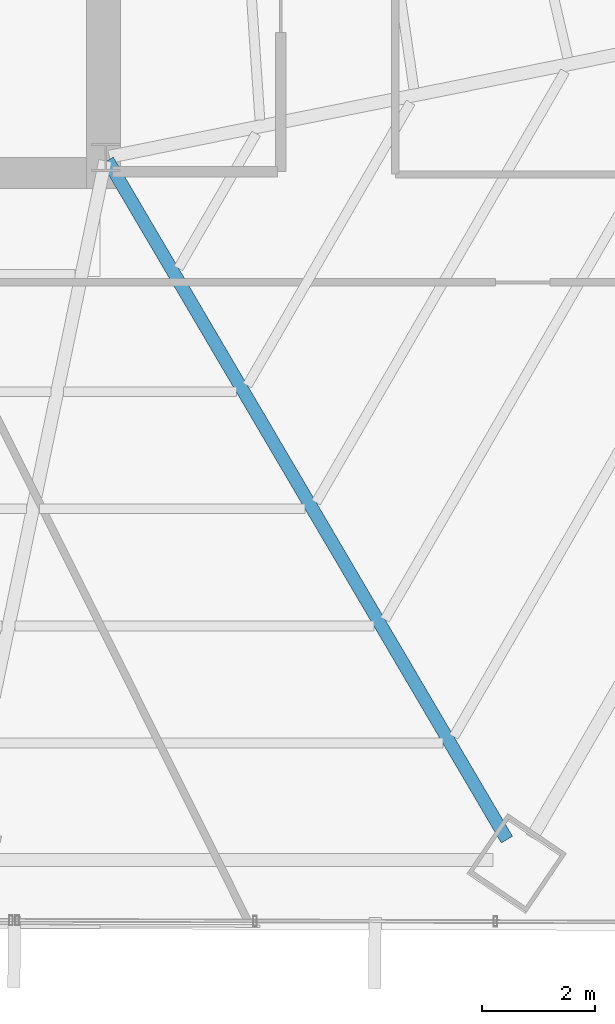
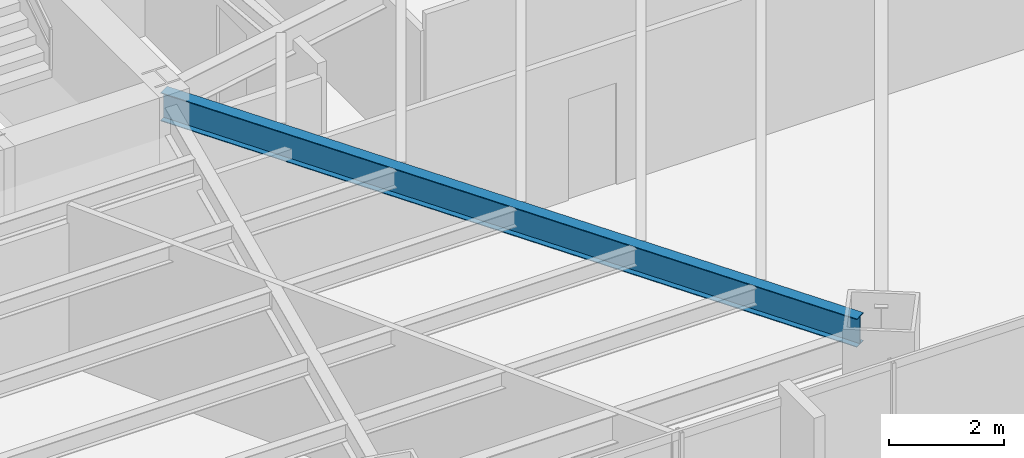
# One storey, part 13 of 33: 1 beam.
"""IFC4 building model written with IfcOpenShell, lengths in metres."""

from ifc_helpers import new_model, si_unit, direction, frame, origin, origin_2d, place, context, subcontext, project, spatial, i_section, extrude, source, transform, mapped, material, material_profile, profile_set, type_object, type_shapes, element, save


model = new_model("IFC4")

# Units and contexts
model_context = context("Model", 3, precision=1e-05, world=origin(), true_north=direction((0.0, 1.0)))
body_context = subcontext(model_context, "Body", "Model", "MODEL_VIEW")
ifc_project = project(units=[si_unit("LENGTHUNIT", "METRE"), si_unit("AREAUNIT", "SQUARE_METRE"), si_unit("VOLUMEUNIT", "CUBIC_METRE"), si_unit("PLANEANGLEUNIT", "RADIAN"), si_unit("MASSUNIT", "GRAM", prefix="KILO")], contexts=[model_context])

# Site, building, storey
site_placement = place(None, origin())
site = spatial("IfcSite", under=ifc_project, at=site_placement, CompositionType="ELEMENT")
building_placement = place(site_placement, origin())
building = spatial("IfcBuilding", under=site, at=building_placement, Name="Caelisora Broadcast Tower", CompositionType="ELEMENT")
storey_placement = place(building_placement, frame((0.0, 0.0, 34.89990234375)))
storey = spatial("IfcBuildingStorey", under=building, at=storey_placement, Name="L08", CompositionType="ELEMENT", Elevation=34.89990234375)

# Beam
ifc_material = material(Name="Steel Grade 350 (AS/NZS 3679.1)", Category="steel")
ifc_material_profile = material_profile(ifc_material, i_section(OverallWidth=0.22802734375, OverallDepth=0.602294921875, WebThickness=0.010498046875, FlangeThickness=0.014892578125, at=origin_2d()), Name="Steel Grade 350 (AS/NZS 3679.1)")
ifc_profile_set = profile_set([ifc_material_profile], Name="Steel Grade 350 (AS/NZS 3679.1)")
beam_type = type_object("IfcBeamType", Name="PG04", PredefinedType="BEAM", material=ifc_profile_set)
shared_shape = source(origin(), body_context, "Body", "SweptSolid", [
    extrude(i_section(OverallWidth=0.22802734375, OverallDepth=0.602294921875, WebThickness=0.010498046875, FlangeThickness=0.014892578125, at=origin_2d()), origin(), (0.0, 0.0, 1.0), 13.884521484375),
])
type_shapes(beam_type, [shared_shape])
beam_placement = place(storey_placement, frame((45.530517578125, 17.348388671875, 3.098876953125), z_axis=(0.506779585423, -0.862075664776, 0.0), x_axis=(0.862075664776, 0.506779585423, 0.0)))
element("IfcBeam", 1, at=beam_placement, inside=storey, type_object=beam_type, Name="L08 beam PG04", PredefinedType="BEAM", context=body_context, shape_type="MappedRepresentation", body=[
    mapped(shared_shape, transform((0.0, 0.0, 0.0), scale=1.0)),
])

save(model, "model.ifc")
